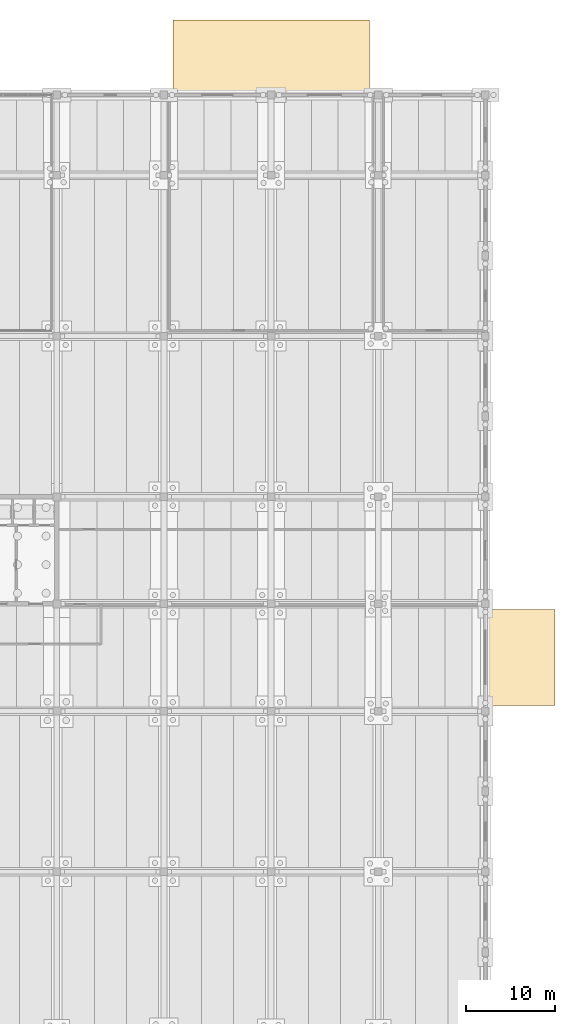
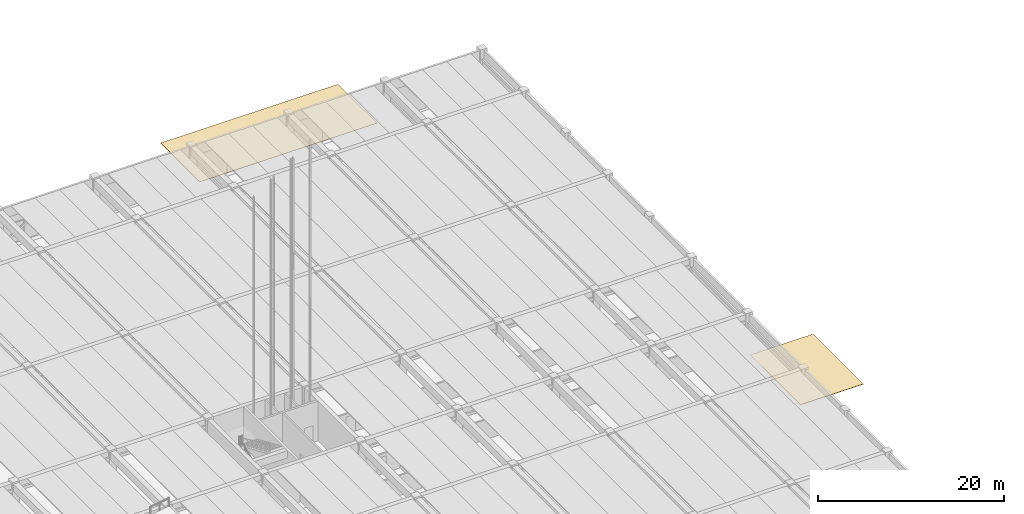
# One storey, part 58 of 59: 2 coverings.
"""IFC4 building model written with IfcOpenShell, lengths in metres."""

from ifc_helpers import new_model, si_unit, direction, frame, origin, origin_2d, place, context, subcontext, project, spatial, rectangle, extrude, material, layer, layer_set, type_object, element, save


model = new_model("IFC4")

# Units and contexts
model_context = context("Model", 3, precision=1e-05, world=origin(), true_north=direction((0.0, 1.0)))
body_context = subcontext(model_context, "Body", "Model", "MODEL_VIEW")
ifc_project = project(units=[si_unit("LENGTHUNIT", "METRE"), si_unit("AREAUNIT", "SQUARE_METRE"), si_unit("VOLUMEUNIT", "CUBIC_METRE"), si_unit("PLANEANGLEUNIT", "RADIAN"), si_unit("MASSUNIT", "GRAM", prefix="KILO")], contexts=[model_context])

# Site, building, storey
site_placement = place(None, origin())
site = spatial("IfcSite", under=ifc_project, at=site_placement, CompositionType="ELEMENT")
building_placement = place(site_placement, origin())
building = spatial("IfcBuilding", under=site, at=building_placement, Name="Girod Span Mobility Hub", CompositionType="ELEMENT")
storey_placement = place(building_placement, origin())
storey = spatial("IfcBuildingStorey", under=building, at=storey_placement, Name="L00", CompositionType="ELEMENT", Elevation=0.0)

# Coverings
ifc_material = material(Name="Reinforced Vehicular Apron Paving", Category="concrete")
ifc_layer = layer(ifc_material, 0.050048828125)
ifc_layer_set = layer_set([ifc_layer], Name="Reinforced Vehicular Apron Paving")
covering_type = type_object("IfcCoveringType", Name="COV-APR-ROAD", PredefinedType="USERDEFINED", material=ifc_layer_set)
covering_1_placement = place(storey_placement, frame((171.89990234375, 51.0, -0.0498046875), z_axis=(0.0, 0.0, 1.0), x_axis=(1.0, 0.0, 0.0)))
element("IfcCovering", 1, at=covering_1_placement, inside=storey, type_object=covering_type, Name="East Vehicle Ramp Exit Driveway Apron", ObjectType="ROADWAY", PredefinedType="USERDEFINED", context=body_context, shape_type="SweptSolid", body=[
    extrude(rectangle(XDim=7.800048828125, YDim=10.800048828125, at=origin_2d()), origin(), (0.0, 0.0, 1.0), 0.050048828125),
])
covering_2_placement = place(storey_placement, frame((144.0, 118.199951171875, -0.0498046875), z_axis=(0.0, 0.0, 1.0), x_axis=(1.0, 0.0, 0.0)))
element("IfcCovering", 2, at=covering_2_placement, inside=storey, type_object=covering_type, Name="North Service Loading Driveway Apron", ObjectType="ROADWAY", PredefinedType="USERDEFINED", context=body_context, shape_type="SweptSolid", body=[
    extrude(rectangle(XDim=22.0, YDim=8.39990234375, at=origin_2d()), origin(), (0.0, 0.0, 1.0), 0.050048828125),
])

save(model, "model.ifc")
